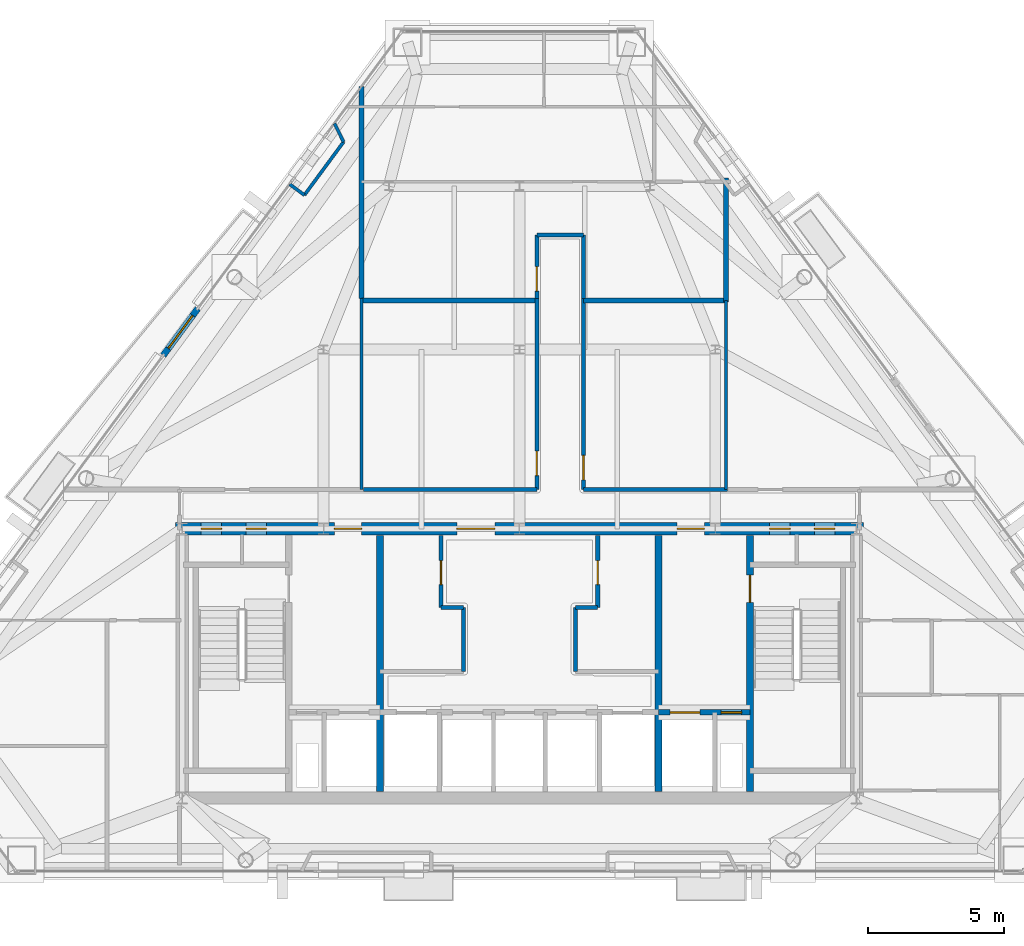
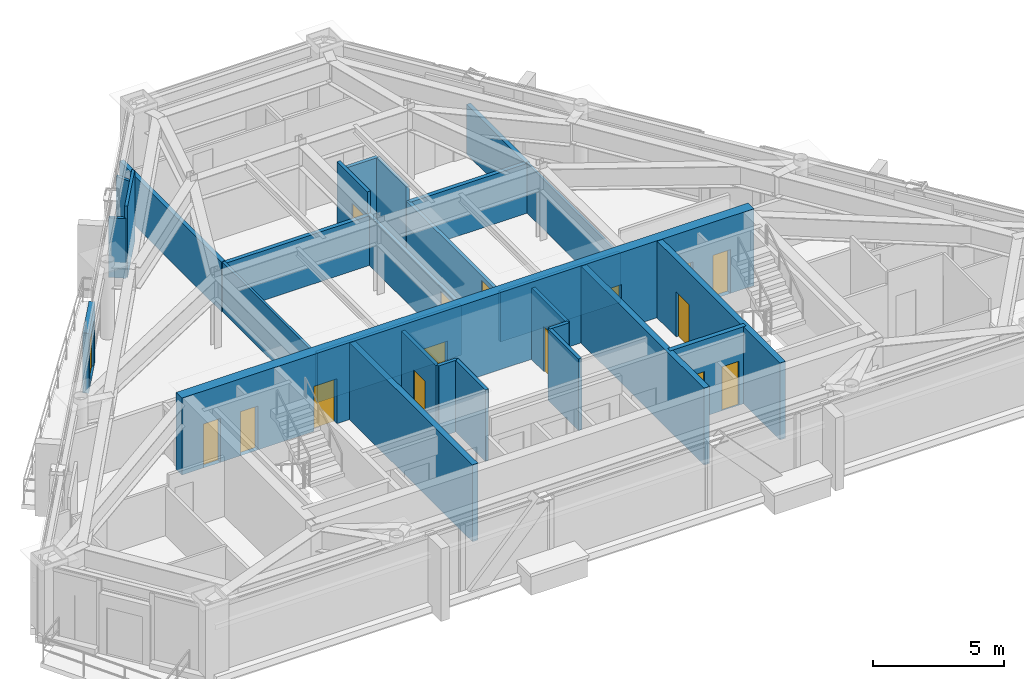
# One storey, part 8 of 12: 28 walls, 16 doors, 16 openings.
"""IFC4 building model written with IfcOpenShell, lengths in metres."""

from ifc_helpers import new_model, si_unit, direction, frame, frame_2d, origin, place, context, subcontext, project, spatial, rectangle, extrude, material, layer, layer_set, type_object, element, fill, save


model = new_model("IFC4")

# Units and contexts
model_context = context("Model", 3, precision=1e-05, world=origin(), true_north=direction((0.0, 1.0)))
body_context = subcontext(model_context, "Body", "Model", "MODEL_VIEW")
ifc_project = project(units=[si_unit("LENGTHUNIT", "METRE"), si_unit("AREAUNIT", "SQUARE_METRE"), si_unit("VOLUMEUNIT", "CUBIC_METRE"), si_unit("PLANEANGLEUNIT", "RADIAN"), si_unit("MASSUNIT", "GRAM", prefix="KILO")], contexts=[model_context])

# Site, building, storey
site_placement = place(None, origin())
site = spatial("IfcSite", under=ifc_project, at=site_placement, CompositionType="ELEMENT")
building_placement = place(site_placement, origin())
building = spatial("IfcBuilding", under=site, at=building_placement, Name="Talgorran Terracotta Tower", CompositionType="ELEMENT")
storey_placement = place(building_placement, frame((0.0, 0.0, 182.10009765625)))
storey = spatial("IfcBuildingStorey", under=building, at=storey_placement, Name="L47", CompositionType="ELEMENT", Elevation=182.10009765625)

# Wall, opening, door
ifc_material_1 = material(Name="Concrete C40/50", Category="concrete")
ifc_layer_1 = layer(ifc_material_1, 0.239990234375, Name="WT_BALCONY_SPAND")
ifc_layer_set_1 = layer_set([ifc_layer_1], Name="Concrete C40/50")
wall_type_1 = type_object("IfcWallType", Name="WT_BALCONY_SPAND", PredefinedType="STANDARD", material=ifc_layer_set_1)
wall_1_placement = place(storey_placement, frame((-11.826416015625, 3.898681640625, -0.01513671875), z_axis=(0.0, 0.0, 1.0), x_axis=(-0.593537527179, -0.804806314482, 0.0)))
wall_1 = element("IfcWall", 1, at=wall_1_placement, inside=storey, type_object=wall_type_1, Name="WL-L47-BALP-BAL-NW", PredefinedType="STANDARD", context=body_context, shape_type="SweptSolid", body=[
    extrude(rectangle(XDim=2.14013671875, YDim=0.239990234375, at=frame_2d((1.070068359375, 0.0))), origin(), (0.0, 0.0, 1.0), 2.80712890625),
])
opening_1_placement = place(wall_1_placement, frame((0.320068359375, 0.0, 0.014892578125)))
opening_1 = element("IfcOpeningElement", 2, at=opening_1_placement, cuts=wall_1, Name="Opening D-BAL-L47-2", PredefinedType="OPENING", context=body_context, shape_type="SweptSolid", body=[
    extrude(rectangle(XDim=1.506, YDim=2.203951171875, at=frame_2d((0.75, 1.10205078125))), frame((0.0, 0.1298828125, 0.0), z_axis=(0.0, -1.0, 0.0), x_axis=(1.0, 0.0, 0.0)), (0.0, 0.0, 1.0), 0.260009765625),
])
ifc_material_2 = material(Name="Thermally Broken Aluminium", Category="aluminium")
door_type_1 = type_object("IfcDoorType", Name="DT_BALC_1500", OperationType="SLIDING_TO_RIGHT", PredefinedType="DOOR", material=ifc_material_2)
door_1_placement = place(opening_1_placement, origin())
door_1 = element("IfcDoor", 3, at=door_1_placement, inside=storey, type_object=door_type_1, Name="DR-L47-BAL-BAL-NW", OperationType="SLIDING_TO_RIGHT", OverallHeight=2.199951171875, OverallWidth=1.5, PredefinedType="DOOR", context=body_context, shape_type="SweptSolid", body=[
    extrude(rectangle(XDim=1.5, YDim=2.199951171875, at=frame_2d((0.75, 1.10009765625))), frame((0.0, 0.02490234375, 0.0), z_axis=(0.0, -1.0, 0.0), x_axis=(1.0, 0.0, 0.0)), (0.0, 0.0, 1.0), 0.050048828125),
])
fill(opening_1, door_1)

# Wall, openings, doors
ifc_material_3 = material(Name="Concrete C50/60", Category="concrete")
ifc_layer_2 = layer(ifc_material_3, 0.199951171875, Name="WT_CORE_200")
ifc_layer_set_2 = layer_set([ifc_layer_2], Name="Concrete C50/60")
wall_type_2 = type_object("IfcWallType", Name="WT_CORE_200", PredefinedType="SOLIDWALL", material=ifc_layer_set_2)
wall_2_placement = place(storey_placement, frame((5.1201171875, -10.949951171875, 0.0), z_axis=(0.0, 0.0, 1.0), x_axis=(1.0, 0.0, 0.0)))
wall_2 = element("IfcWall", 4, at=wall_2_placement, inside=storey, type_object=wall_type_2, Name="WL-L47-CW-H-SBE", PredefinedType="SOLIDWALL", context=body_context, shape_type="SweptSolid", body=[
    extrude(rectangle(XDim=3.35986328125, YDim=0.199951171875, at=frame_2d((1.679931640625, 0.0))), origin(), (0.0, 0.0, 1.0), 3.599853515625),
])
opening_2_placement = place(wall_2_placement, frame((0.419921875, 0.0, 0.0)))
opening_2 = element("IfcOpeningElement", 5, at=opening_2_placement, cuts=wall_2, Name="Opening LD-FFL2", PredefinedType="OPENING", context=body_context, shape_type="SweptSolid", body=[
    extrude(rectangle(XDim=1.10609765625, YDim=2.10409765625, at=frame_2d((0.550048828125, 1.052001953125))), frame((0.0, 0.10986328125, 0.0), z_axis=(0.0, -1.0, 0.0), x_axis=(1.0, 0.0, 0.0)), (0.0, 0.0, 1.0), 0.219970703125),
])
opening_3_placement = place(wall_2_placement, frame((2.300048828125, 0.0, 0.0)))
opening_3 = element("IfcOpeningElement", 6, at=opening_3_placement, cuts=wall_2, Name="Opening DR-RSE", PredefinedType="OPENING", context=body_context, shape_type="SweptSolid", body=[
    extrude(rectangle(XDim=0.756, YDim=2.054048828125, at=frame_2d((0.375, 1.027099609375))), frame((0.0, 0.10986328125, 0.0), z_axis=(0.0, -1.0, 0.0), x_axis=(1.0, 0.0, 0.0)), (0.0, 0.0, 1.0), 0.219970703125),
])
ifc_material_4 = material(Name="Brushed Stainless Steel Grade 304", Category="steel")
door_type_2 = type_object("IfcDoorType", Name="DT_LIFT_LD1100", OperationType="DOUBLE_DOOR_SLIDING", PredefinedType="DOOR", material=ifc_material_4)
door_2_placement = place(opening_2_placement, origin())
door_2 = element("IfcDoor", 7, at=door_2_placement, inside=storey, type_object=door_type_2, Name="L47 Lift Landing Door LD-FFL2", OperationType="DOUBLE_DOOR_SLIDING", OverallHeight=2.10009765625, OverallWidth=1.10009765625, PredefinedType="DOOR", context=body_context, shape_type="SweptSolid", body=[
    extrude(rectangle(XDim=1.10009765625, YDim=2.10009765625, at=frame_2d((0.550048828125, 1.050048828125))), frame((0.0, 0.02490234375, 0.0), z_axis=(0.0, -1.0, 0.0), x_axis=(1.0, 0.0, 0.0)), (0.0, 0.0, 1.0), 0.050048828125),
])
fill(opening_2, door_2)
ifc_material_5 = material(Name="Fire-Rated Pressed Steel", Category="steel")
door_type_3 = type_object("IfcDoorType", Name="DT_RISER_750", OperationType="NOTDEFINED", PredefinedType="DOOR", material=ifc_material_5)
door_3_placement = place(opening_3_placement, origin())
door_3 = element("IfcDoor", 8, at=door_3_placement, inside=storey, type_object=door_type_3, Name="DR-RSE", OperationType="SINGLE_SWING_RIGHT", OverallHeight=2.050048828125, OverallWidth=0.75, PredefinedType="DOOR", context=body_context, shape_type="SweptSolid", body=[
    extrude(rectangle(XDim=0.75, YDim=2.050048828125, at=frame_2d((0.375, 1.02490234375))), frame((0.0, 0.02490234375, 0.0), z_axis=(0.0, -1.0, 0.0), x_axis=(1.0, 0.0, 0.0)), (0.0, 0.0, 1.0), 0.050048828125),
])
fill(opening_3, door_3)

# Wall, opening, door
ifc_layer_3 = layer(ifc_material_3, 0.25, Name="WT_CORE_250")
ifc_layer_set_3 = layer_set([ifc_layer_3], Name="Concrete C50/60")
wall_type_3 = type_object("IfcWallType", Name="WT_CORE_250", PredefinedType="SHEAR", material=ifc_layer_set_3)
wall_3_placement = place(storey_placement, frame((8.47998046875, -13.85009765625, 0.0), z_axis=(0.0, 0.0, 1.0), x_axis=(0.0, 1.0, 0.0)))
wall_3 = element("IfcWall", 9, at=wall_3_placement, inside=storey, type_object=wall_type_3, Name="WL-L47-CW-V-E1", PredefinedType="SHEAR", context=body_context, shape_type="SweptSolid", body=[
    extrude(rectangle(XDim=9.400146484375, YDim=0.25, at=frame_2d((4.7001953125, 0.0))), origin(), (0.0, 0.0, 1.0), 3.599853515625),
])
opening_4_placement = place(wall_3_placement, frame((6.949951171875, 0.0, 0.0)))
opening_4 = element("IfcOpeningElement", 10, at=opening_4_placement, cuts=wall_3, Name="Opening DR-ST02", PredefinedType="OPENING", context=body_context, shape_type="SweptSolid", body=[
    extrude(rectangle(XDim=1.006, YDim=2.10409765625, at=frame_2d((0.5, 1.052001953125))), frame((0.0, 0.135009765625, 0.0), z_axis=(0.0, -1.0, 0.0), x_axis=(1.0, 0.0, 0.0)), (0.0, 0.0, 1.0), 0.27001953125),
])
door_type_4 = type_object("IfcDoorType", Name="DT_FIRE_1000", OperationType="NOTDEFINED", PredefinedType="DOOR", material=ifc_material_5)
door_4_placement = place(opening_4_placement, origin())
door_4 = element("IfcDoor", 11, at=door_4_placement, inside=storey, type_object=door_type_4, Name="DR-ST02", OperationType="SINGLE_SWING_RIGHT", OverallHeight=2.10009765625, OverallWidth=1.0, PredefinedType="DOOR", context=body_context, shape_type="SweptSolid", body=[
    extrude(rectangle(XDim=1.0, YDim=2.10009765625, at=frame_2d((0.5, 1.050048828125))), frame((0.0, 0.02490234375, 0.0), z_axis=(0.0, -1.0, 0.0), x_axis=(1.0, 0.0, 0.0)), (0.0, 0.0, 1.0), 0.050048828125),
])
fill(opening_4, door_4)

# Walls
for number, where, z_axis, x_axis, name in (
    (12, (-5.1201171875, -13.85009765625, 0.0), (0.0, 0.0, 1.0), (0.0, 1.0, 0.0), "WL-L47-CW-V-W2"),
    (13, (5.1201171875, -13.85009765625, 0.0), (0.0, 0.0, 1.0), (0.0, 1.0, 0.0), "WL-L47-CW-V-E2"),
):
    element("IfcWall", number, at=place(storey_placement, frame(where, z_axis=z_axis, x_axis=x_axis)), inside=storey, type_object=wall_type_3, Name=name, PredefinedType="SHEAR", context=body_context, shape_type="SweptSolid", body=[
        extrude(rectangle(XDim=9.400146484375, YDim=0.25, at=frame_2d((4.7001953125, 0.0))), origin(), (0.0, 0.0, 1.0), 3.599853515625),
    ])

# Wall, openings, doors
ifc_material_6 = material(Name="Concrete C65/80", Category="concrete")
ifc_layer_4 = layer(ifc_material_6, 0.449951171875, Name="WT_CORE_EXT")
ifc_layer_set_4 = layer_set([ifc_layer_4], Name="Concrete C65/80")
wall_type_4 = type_object("IfcWallType", Name="WT_CORE_EXT", PredefinedType="SHEAR", material=ifc_layer_set_4)
wall_4_placement = place(storey_placement, frame((-12.64990234375, -4.199951171875, 0.0), z_axis=(0.0, 0.0, 1.0), x_axis=(1.0, 0.0, 0.0)))
wall_4 = element("IfcWall", 14, at=wall_4_placement, inside=storey, type_object=wall_type_4, Name="WL-L47-CW-OUT-N", PredefinedType="SHEAR", context=body_context, shape_type="SweptSolid", body=[
    extrude(rectangle(XDim=25.2998046875, YDim=0.449951171875, at=frame_2d((12.64990234375, 0.0))), origin(), (0.0, 0.0, 1.0), 3.599853515625),
])
opening_5_placement = place(wall_4_placement, frame((0.949951171875, 0.0, 0.0)))
opening_5 = element("IfcOpeningElement", 15, at=opening_5_placement, cuts=wall_4, Name="Opening DR-CSN1", PredefinedType="OPENING", context=body_context, shape_type="SweptSolid", body=[
    extrude(rectangle(XDim=0.756, YDim=2.054048828125, at=frame_2d((0.375, 1.027099609375))), frame((0.0, 0.23486328125, 0.0), z_axis=(0.0, -1.0, 0.0), x_axis=(1.0, 0.0, 0.0)), (0.0, 0.0, 1.0), 0.469970703125),
])
opening_6_placement = place(wall_4_placement, frame((2.60009765625, 0.0, 0.0)))
opening_6 = element("IfcOpeningElement", 16, at=opening_6_placement, cuts=wall_4, Name="Opening DR-CSN2", PredefinedType="OPENING", context=body_context, shape_type="SweptSolid", body=[
    extrude(rectangle(XDim=0.756, YDim=2.054048828125, at=frame_2d((0.375, 1.027099609375))), frame((0.0, 0.23486328125, 0.0), z_axis=(0.0, -1.0, 0.0), x_axis=(1.0, 0.0, 0.0)), (0.0, 0.0, 1.0), 0.469970703125),
])
opening_7_placement = place(wall_4_placement, frame((21.85009765625, 0.0, 0.0)))
opening_7 = element("IfcOpeningElement", 17, at=opening_7_placement, cuts=wall_4, Name="Opening DR-CSN3", PredefinedType="OPENING", context=body_context, shape_type="SweptSolid", body=[
    extrude(rectangle(XDim=0.756, YDim=2.054048828125, at=frame_2d((0.375, 1.027099609375))), frame((0.0, 0.23486328125, 0.0), z_axis=(0.0, -1.0, 0.0), x_axis=(1.0, 0.0, 0.0)), (0.0, 0.0, 1.0), 0.469970703125),
])
opening_8_placement = place(wall_4_placement, frame((23.5, 0.0, 0.0)))
opening_8 = element("IfcOpeningElement", 18, at=opening_8_placement, cuts=wall_4, Name="Opening DR-CSN4", PredefinedType="OPENING", context=body_context, shape_type="SweptSolid", body=[
    extrude(rectangle(XDim=0.756, YDim=2.054048828125, at=frame_2d((0.375, 1.027099609375))), frame((0.0, 0.23486328125, 0.0), z_axis=(0.0, -1.0, 0.0), x_axis=(1.0, 0.0, 0.0)), (0.0, 0.0, 1.0), 0.469970703125),
])
opening_9_placement = place(wall_4_placement, frame((5.85009765625, 0.0, 0.0)))
opening_9 = element("IfcOpeningElement", 19, at=opening_9_placement, cuts=wall_4, Name="Opening DR-FFLW-N", PredefinedType="OPENING", context=body_context, shape_type="SweptSolid", body=[
    extrude(rectangle(XDim=1.006, YDim=2.10409765625, at=frame_2d((0.5, 1.052001953125))), frame((0.0, 0.23486328125, 0.0), z_axis=(0.0, -1.0, 0.0), x_axis=(1.0, 0.0, 0.0)), (0.0, 0.0, 1.0), 0.469970703125),
])
opening_10_placement = place(wall_4_placement, frame((10.35009765625, 0.0, 0.0)))
opening_10 = element("IfcOpeningElement", 20, at=opening_10_placement, cuts=wall_4, Name="Opening DR-PLL-N", PredefinedType="OPENING", context=body_context, shape_type="SweptSolid", body=[
    extrude(rectangle(XDim=1.40590234375, YDim=2.15390234375, at=frame_2d((0.699951171875, 1.076904296875))), frame((0.0, 0.23486328125, 0.0), z_axis=(0.0, -1.0, 0.0), x_axis=(1.0, 0.0, 0.0)), (0.0, 0.0, 1.0), 0.469970703125),
])
opening_11_placement = place(wall_4_placement, frame((18.449951171875, 0.0, 0.0)))
opening_11 = element("IfcOpeningElement", 21, at=opening_11_placement, cuts=wall_4, Name="Opening DR-FFLE-N", PredefinedType="OPENING", context=body_context, shape_type="SweptSolid", body=[
    extrude(rectangle(XDim=1.006, YDim=2.10409765625, at=frame_2d((0.5, 1.052001953125))), frame((0.0, 0.23486328125, 0.0), z_axis=(0.0, -1.0, 0.0), x_axis=(1.0, 0.0, 0.0)), (0.0, 0.0, 1.0), 0.469970703125),
])
ifc_material_7 = material(Name="Acoustic Glazed Timber", Category="wood")
door_type_5 = type_object("IfcDoorType", Name="DT_DOUBLE_1400", OperationType="DOUBLE_DOOR_SINGLE_SWING", PredefinedType="DOOR", material=ifc_material_7)
door_5_placement = place(opening_10_placement, origin())
door_5 = element("IfcDoor", 22, at=door_5_placement, inside=storey, type_object=door_type_5, Name="DR-PLL-N", OperationType="DOUBLE_DOOR_SINGLE_SWING", OverallHeight=2.14990234375, OverallWidth=1.39990234375, PredefinedType="DOOR", context=body_context, shape_type="SweptSolid", body=[
    extrude(rectangle(XDim=1.39990234375, YDim=2.14990234375, at=frame_2d((0.699951171875, 1.074951171875))), frame((0.0, 0.02490234375, 0.0), z_axis=(0.0, -1.0, 0.0), x_axis=(1.0, 0.0, 0.0)), (0.0, 0.0, 1.0), 0.050048828125),
])
fill(opening_10, door_5)
door_6_placement = place(opening_9_placement, origin())
door_6 = element("IfcDoor", 23, at=door_6_placement, inside=storey, type_object=door_type_4, Name="DR-FFLW-N", OperationType="SINGLE_SWING_LEFT", OverallHeight=2.10009765625, OverallWidth=1.0, PredefinedType="DOOR", context=body_context, shape_type="SweptSolid", body=[
    extrude(rectangle(XDim=1.0, YDim=2.10009765625, at=frame_2d((0.5, 1.050048828125))), frame((0.0, 0.02490234375, 0.0), z_axis=(0.0, -1.0, 0.0), x_axis=(1.0, 0.0, 0.0)), (0.0, 0.0, 1.0), 0.050048828125),
])
fill(opening_9, door_6)
door_7_placement = place(opening_11_placement, origin())
door_7 = element("IfcDoor", 24, at=door_7_placement, inside=storey, type_object=door_type_4, Name="DR-FFLE-N", OperationType="SINGLE_SWING_RIGHT", OverallHeight=2.10009765625, OverallWidth=1.0, PredefinedType="DOOR", context=body_context, shape_type="SweptSolid", body=[
    extrude(rectangle(XDim=1.0, YDim=2.10009765625, at=frame_2d((0.5, 1.050048828125))), frame((0.0, 0.02490234375, 0.0), z_axis=(0.0, -1.0, 0.0), x_axis=(1.0, 0.0, 0.0)), (0.0, 0.0, 1.0), 0.050048828125),
])
fill(opening_11, door_7)
door_8_placement = place(opening_5_placement, origin())
door_8 = element("IfcDoor", 25, at=door_8_placement, inside=storey, type_object=door_type_3, Name="DR-CSN1", OperationType="SINGLE_SWING_LEFT", OverallHeight=2.050048828125, OverallWidth=0.75, PredefinedType="DOOR", context=body_context, shape_type="SweptSolid", body=[
    extrude(rectangle(XDim=0.75, YDim=2.050048828125, at=frame_2d((0.375, 1.02490234375))), frame((0.0, 0.02490234375, 0.0), z_axis=(0.0, -1.0, 0.0), x_axis=(1.0, 0.0, 0.0)), (0.0, 0.0, 1.0), 0.050048828125),
])
fill(opening_5, door_8)
door_9_placement = place(opening_6_placement, origin())
door_9 = element("IfcDoor", 26, at=door_9_placement, inside=storey, type_object=door_type_3, Name="DR-CSN2", OperationType="SINGLE_SWING_RIGHT", OverallHeight=2.050048828125, OverallWidth=0.75, PredefinedType="DOOR", context=body_context, shape_type="SweptSolid", body=[
    extrude(rectangle(XDim=0.75, YDim=2.050048828125, at=frame_2d((0.375, 1.02490234375))), frame((0.0, 0.02490234375, 0.0), z_axis=(0.0, -1.0, 0.0), x_axis=(1.0, 0.0, 0.0)), (0.0, 0.0, 1.0), 0.050048828125),
])
fill(opening_6, door_9)
door_10_placement = place(opening_7_placement, origin())
door_10 = element("IfcDoor", 27, at=door_10_placement, inside=storey, type_object=door_type_3, Name="DR-CSN3", OperationType="SINGLE_SWING_LEFT", OverallHeight=2.050048828125, OverallWidth=0.75, PredefinedType="DOOR", context=body_context, shape_type="SweptSolid", body=[
    extrude(rectangle(XDim=0.75, YDim=2.050048828125, at=frame_2d((0.375, 1.02490234375))), frame((0.0, 0.02490234375, 0.0), z_axis=(0.0, -1.0, 0.0), x_axis=(1.0, 0.0, 0.0)), (0.0, 0.0, 1.0), 0.050048828125),
])
fill(opening_7, door_10)
door_11_placement = place(opening_8_placement, origin())
door_11 = element("IfcDoor", 28, at=door_11_placement, inside=storey, type_object=door_type_3, Name="DR-CSN4", OperationType="SINGLE_SWING_RIGHT", OverallHeight=2.050048828125, OverallWidth=0.75, PredefinedType="DOOR", context=body_context, shape_type="SweptSolid", body=[
    extrude(rectangle(XDim=0.75, YDim=2.050048828125, at=frame_2d((0.375, 1.02490234375))), frame((0.0, 0.02490234375, 0.0), z_axis=(0.0, -1.0, 0.0), x_axis=(1.0, 0.0, 0.0)), (0.0, 0.0, 1.0), 0.050048828125),
])
fill(opening_8, door_11)

# Walls
ifc_material_8 = material(Name="Fire-Rated Steel Stud Plasterboard", Category="steel")
ifc_layer_5 = layer(ifc_material_8, 0.14990234375, Name="WT_FIRE_150")
ifc_layer_set_5 = layer_set([ifc_layer_5], Name="Fire-Rated Steel Stud Plasterboard")
wall_type_5 = type_object("IfcWallType", Name="WT_FIRE_150", PredefinedType="PARTITIONING", material=ifc_layer_set_5)
wall_5_placement = place(storey_placement, frame((-2.06005859375, -9.449951171875, 0.0), z_axis=(0.0, 0.0, 1.0), x_axis=(0.0, 1.0, 0.0)))
element("IfcWall", 29, at=wall_5_placement, inside=storey, type_object=wall_type_5, Name="WL-L47-CW-V-W3S2", PredefinedType="PARTITIONING", context=body_context, shape_type="SweptSolid", body=[
    extrude(rectangle(XDim=2.349853515625, YDim=0.14990234375, at=frame_2d((1.1748046875, 0.0))), origin(), (0.0, 0.0, 1.0), 3.349853515625),
])
wall_6_placement = place(storey_placement, frame((-2.8798828125, -7.10009765625, 0.0), z_axis=(0.0, 0.0, 1.0), x_axis=(1.0, 0.0, 0.0)))
element("IfcWall", 30, at=wall_6_placement, inside=storey, type_object=wall_type_5, Name="WL-L47-CW-H-W3M2", PredefinedType="PARTITIONING", context=body_context, shape_type="SweptSolid", body=[
    extrude(rectangle(XDim=0.81982421875, YDim=0.14990234375, at=frame_2d((0.409912109375, 0.0))), origin(), (0.0, 0.0, 1.0), 3.349853515625),
])

# Wall, opening, door
wall_7_placement = place(storey_placement, frame((-2.8798828125, -7.10009765625, 0.0), z_axis=(0.0, 0.0, 1.0), x_axis=(0.0, 1.0, 0.0)))
wall_7 = element("IfcWall", 31, at=wall_7_placement, inside=storey, type_object=wall_type_5, Name="WL-L47-CW-V-W3N", PredefinedType="PARTITIONING", context=body_context, shape_type="SweptSolid", body=[
    extrude(rectangle(XDim=2.650146484375, YDim=0.14990234375, at=frame_2d((1.3251953125, 0.0))), origin(), (0.0, 0.0, 1.0), 3.349853515625),
])
opening_12_placement = place(wall_7_placement, frame((0.85009765625, 0.0, 0.0)))
opening_12 = element("IfcOpeningElement", 32, at=opening_12_placement, cuts=wall_7, Name="Opening DR-FRPLL-B", PredefinedType="OPENING", context=body_context, shape_type="SweptSolid", body=[
    extrude(rectangle(XDim=0.8858828125, YDim=2.10409765625, at=frame_2d((0.43994140625, 1.052001953125))), frame((0.0, 0.0849609375, 0.0), z_axis=(0.0, -1.0, 0.0), x_axis=(1.0, 0.0, 0.0)), (0.0, 0.0, 1.0), 0.169921875),
])
ifc_material_9 = material(Name="Solid-Core Painted Timber", Category="wood")
door_type_6 = type_object("IfcDoorType", Name="DT_INT_880", OperationType="NOTDEFINED", PredefinedType="DOOR", material=ifc_material_9)
door_12_placement = place(opening_12_placement, origin())
door_12 = element("IfcDoor", 33, at=door_12_placement, inside=storey, type_object=door_type_6, Name="DR-FRPLL-B", OperationType="SINGLE_SWING_LEFT", OverallHeight=2.10009765625, OverallWidth=0.8798828125, PredefinedType="DOOR", context=body_context, shape_type="SweptSolid", body=[
    extrude(rectangle(XDim=0.8798828125, YDim=2.10009765625, at=frame_2d((0.43994140625, 1.050048828125))), frame((0.0, 0.02490234375, 0.0), z_axis=(0.0, -1.0, 0.0), x_axis=(1.0, 0.0, 0.0)), (0.0, 0.0, 1.0), 0.050048828125),
])
fill(opening_12, door_12)

# Walls
wall_8_placement = place(storey_placement, frame((2.06005859375, -9.449951171875, 0.0), z_axis=(0.0, 0.0, 1.0), x_axis=(0.0, 1.0, 0.0)))
element("IfcWall", 34, at=wall_8_placement, inside=storey, type_object=wall_type_5, Name="WL-L47-CW-V-E3S2", PredefinedType="PARTITIONING", context=body_context, shape_type="SweptSolid", body=[
    extrude(rectangle(XDim=2.349853515625, YDim=0.14990234375, at=frame_2d((1.1748046875, 0.0))), origin(), (0.0, 0.0, 1.0), 3.349853515625),
])
wall_9_placement = place(storey_placement, frame((2.06005859375, -7.10009765625, 0.0), z_axis=(0.0, 0.0, 1.0), x_axis=(1.0, 0.0, 0.0)))
element("IfcWall", 35, at=wall_9_placement, inside=storey, type_object=wall_type_5, Name="WL-L47-CW-H-E3M2", PredefinedType="PARTITIONING", context=body_context, shape_type="SweptSolid", body=[
    extrude(rectangle(XDim=0.81982421875, YDim=0.14990234375, at=frame_2d((0.409912109375, 0.0))), origin(), (0.0, 0.0, 1.0), 3.349853515625),
])

# Wall, opening, door
wall_10_placement = place(storey_placement, frame((2.8798828125, -7.10009765625, 0.0), z_axis=(0.0, 0.0, 1.0), x_axis=(0.0, 1.0, 0.0)))
wall_10 = element("IfcWall", 36, at=wall_10_placement, inside=storey, type_object=wall_type_5, Name="WL-L47-CW-V-E3N", PredefinedType="PARTITIONING", context=body_context, shape_type="SweptSolid", body=[
    extrude(rectangle(XDim=2.650146484375, YDim=0.14990234375, at=frame_2d((1.3251953125, 0.0))), origin(), (0.0, 0.0, 1.0), 3.349853515625),
])
opening_13_placement = place(wall_10_placement, frame((0.85009765625, 0.0, 0.0)))
opening_13 = element("IfcOpeningElement", 37, at=opening_13_placement, cuts=wall_10, Name="Opening DR-FRPLM-B", PredefinedType="OPENING", context=body_context, shape_type="SweptSolid", body=[
    extrude(rectangle(XDim=0.8858828125, YDim=2.10409765625, at=frame_2d((0.43994140625, 1.052001953125))), frame((0.0, 0.0849609375, 0.0), z_axis=(0.0, -1.0, 0.0), x_axis=(1.0, 0.0, 0.0)), (0.0, 0.0, 1.0), 0.169921875),
])
door_13_placement = place(opening_13_placement, origin())
door_13 = element("IfcDoor", 38, at=door_13_placement, inside=storey, type_object=door_type_6, Name="DR-FRPLM-B", OperationType="SINGLE_SWING_RIGHT", OverallHeight=2.10009765625, OverallWidth=0.8798828125, PredefinedType="DOOR", context=body_context, shape_type="SweptSolid", body=[
    extrude(rectangle(XDim=0.8798828125, YDim=2.10009765625, at=frame_2d((0.43994140625, 1.050048828125))), frame((0.0, 0.02490234375, 0.0), z_axis=(0.0, -1.0, 0.0), x_axis=(1.0, 0.0, 0.0)), (0.0, 0.0, 1.0), 0.050048828125),
])
fill(opening_13, door_13)

wall_11_placement = place(storey_placement, frame((0.639892578125, -2.760009765625, 0.0), z_axis=(0.0, 0.0, 1.0), x_axis=(0.0, 1.0, 0.0)))
wall_11 = element("IfcWall", 39, at=wall_11_placement, inside=storey, type_object=wall_type_5, Name="WL-L47-W-L47-R05", PredefinedType="PARTITIONING", context=body_context, shape_type="SweptSolid", body=[
    extrude(rectangle(XDim=7.02001953125, YDim=0.14990234375, at=frame_2d((3.510009765625, 0.0))), origin(), (0.0, 0.0, 1.0), 2.324951171875),
])
opening_14_placement = place(wall_11_placement, frame((0.52001953125, 0.0, 0.0)))
opening_14 = element("IfcOpeningElement", 40, at=opening_14_placement, cuts=wall_11, Name="Opening DR-L47-R11", PredefinedType="OPENING", context=body_context, shape_type="SweptSolid", body=[
    extrude(rectangle(XDim=0.90590234375, YDim=2.10409765625, at=frame_2d((0.449951171875, 1.052001953125))), frame((0.0, 0.0849609375, 0.0), z_axis=(0.0, -1.0, 0.0), x_axis=(1.0, 0.0, 0.0)), (0.0, 0.0, 1.0), 0.169921875),
])
ifc_material_10 = material(Name="Fire-Rated Timber Core", Category="wood")
door_type_7 = type_object("IfcDoorType", Name="DT_FIRE_900", OperationType="NOTDEFINED", PredefinedType="DOOR", material=ifc_material_10)
door_14_placement = place(opening_14_placement, origin())
door_14 = element("IfcDoor", 41, at=door_14_placement, inside=storey, type_object=door_type_7, Name="DR-L47-R11", OperationType="SINGLE_SWING_LEFT", OverallHeight=2.10009765625, OverallWidth=0.89990234375, PredefinedType="DOOR", context=body_context, shape_type="SweptSolid", body=[
    extrude(rectangle(XDim=0.89990234375, YDim=2.10009765625, at=frame_2d((0.449951171875, 1.050048828125))), frame((0.0, 0.02490234375, 0.0), z_axis=(0.0, -1.0, 0.0), x_axis=(1.0, 0.0, 0.0)), (0.0, 0.0, 1.0), 0.050048828125),
])
fill(opening_14, door_14)

wall_12_placement = place(storey_placement, frame((2.360107421875, -2.760009765625, 0.0), z_axis=(0.0, 0.0, 1.0), x_axis=(0.0, 1.0, 0.0)))
wall_12 = element("IfcWall", 42, at=wall_12_placement, inside=storey, type_object=wall_type_5, Name="WL-L47-W-L47-R06", PredefinedType="PARTITIONING", context=body_context, shape_type="SweptSolid", body=[
    extrude(rectangle(XDim=7.02001953125, YDim=0.14990234375, at=frame_2d((3.510009765625, 0.0))), origin(), (0.0, 0.0, 1.0), 2.324951171875),
])
opening_15_placement = place(wall_12_placement, frame((0.360107421875, 0.0, 0.0)))
opening_15 = element("IfcOpeningElement", 43, at=opening_15_placement, cuts=wall_12, Name="Opening DR-L47-R12", PredefinedType="OPENING", context=body_context, shape_type="SweptSolid", body=[
    extrude(rectangle(XDim=0.90590234375, YDim=2.10409765625, at=frame_2d((0.449951171875, 1.052001953125))), frame((0.0, 0.0849609375, 0.0), z_axis=(0.0, -1.0, 0.0), x_axis=(1.0, 0.0, 0.0)), (0.0, 0.0, 1.0), 0.169921875),
])
door_15_placement = place(opening_15_placement, origin())
door_15 = element("IfcDoor", 44, at=door_15_placement, inside=storey, type_object=door_type_7, Name="DR-L47-R12", OperationType="SINGLE_SWING_RIGHT", OverallHeight=2.10009765625, OverallWidth=0.89990234375, PredefinedType="DOOR", context=body_context, shape_type="SweptSolid", body=[
    extrude(rectangle(XDim=0.89990234375, YDim=2.10009765625, at=frame_2d((0.449951171875, 1.050048828125))), frame((0.0, 0.02490234375, 0.0), z_axis=(0.0, -1.0, 0.0), x_axis=(1.0, 0.0, 0.0)), (0.0, 0.0, 1.0), 0.050048828125),
])
fill(opening_15, door_15)

# Walls
wall_13_placement = place(storey_placement, frame((-5.738037109375, -2.760009765625, 0.0), z_axis=(0.0, 0.0, 1.0), x_axis=(1.0, 0.0, 0.0)))
element("IfcWall", 45, at=wall_13_placement, inside=storey, type_object=wall_type_5, Name="WL-L47-W-L47-R04", PredefinedType="PARTITIONING", context=body_context, shape_type="SweptSolid", body=[
    extrude(rectangle(XDim=6.3779296875, YDim=0.14990234375, at=frame_2d((3.18896484375, 0.0))), origin(), (0.0, 0.0, 1.0), 2.324951171875),
])
wall_14_placement = place(storey_placement, frame((2.360107421875, -2.760009765625, 0.0), z_axis=(0.0, 0.0, 1.0), x_axis=(1.0, 0.0, 0.0)))
element("IfcWall", 46, at=wall_14_placement, inside=storey, type_object=wall_type_5, Name="WL-L47-W-L47-R07", PredefinedType="PARTITIONING", context=body_context, shape_type="SweptSolid", body=[
    extrude(rectangle(XDim=5.2998046875, YDim=0.14990234375, at=frame_2d((2.64990234375, 0.0))), origin(), (0.0, 0.0, 1.0), 2.324951171875),
])

# Wall, opening, door
wall_15_placement = place(storey_placement, frame((0.639892578125, 4.261962890625, 0.0), z_axis=(0.0, 0.0, 1.0), x_axis=(0.0, 1.0, 0.0)))
wall_15 = element("IfcWall", 47, at=wall_15_placement, inside=storey, type_object=wall_type_5, Name="WL-L47-W-L47-R09", PredefinedType="PARTITIONING", context=body_context, shape_type="SweptSolid", body=[
    extrude(rectangle(XDim=2.338134765625, YDim=0.14990234375, at=frame_2d((1.1689453125, 0.0))), origin(), (0.0, 0.0, 1.0), 3.349853515625),
])
opening_16_placement = place(wall_15_placement, frame((0.278076171875, 0.0, 0.0)))
opening_16 = element("IfcOpeningElement", 48, at=opening_16_placement, cuts=wall_15, Name="Opening DR-L47-R14", PredefinedType="OPENING", context=body_context, shape_type="SweptSolid", body=[
    extrude(rectangle(XDim=0.90590234375, YDim=2.10409765625, at=frame_2d((0.449951171875, 1.052001953125))), frame((0.0, 0.0849609375, 0.0), z_axis=(0.0, -1.0, 0.0), x_axis=(1.0, 0.0, 0.0)), (0.0, 0.0, 1.0), 0.169921875),
])
door_16_placement = place(opening_16_placement, origin())
door_16 = element("IfcDoor", 49, at=door_16_placement, inside=storey, type_object=door_type_7, Name="DR-L47-R14", OperationType="SINGLE_SWING_RIGHT", OverallHeight=2.10009765625, OverallWidth=0.89990234375, PredefinedType="DOOR", context=body_context, shape_type="SweptSolid", body=[
    extrude(rectangle(XDim=0.89990234375, YDim=2.10009765625, at=frame_2d((0.449951171875, 1.050048828125))), frame((0.0, 0.02490234375, 0.0), z_axis=(0.0, -1.0, 0.0), x_axis=(1.0, 0.0, 0.0)), (0.0, 0.0, 1.0), 0.050048828125),
])
fill(opening_16, door_16)

# Walls
wall_16_placement = place(storey_placement, frame((2.360107421875, 4.261962890625, 0.0), z_axis=(0.0, 0.0, 1.0), x_axis=(0.0, 1.0, 0.0)))
element("IfcWall", 50, at=wall_16_placement, inside=storey, type_object=wall_type_5, Name="WL-L47-W-L47-R11", PredefinedType="PARTITIONING", context=body_context, shape_type="SweptSolid", body=[
    extrude(rectangle(XDim=2.338134765625, YDim=0.14990234375, at=frame_2d((1.1689453125, 0.0))), origin(), (0.0, 0.0, 1.0), 2.96923828125),
])
wall_17_placement = place(storey_placement, frame((0.639892578125, 6.60009765625, 0.0), z_axis=(0.0, 0.0, 1.0), x_axis=(1.0, 0.0, 0.0)))
element("IfcWall", 51, at=wall_17_placement, inside=storey, type_object=wall_type_5, Name="WL-L47-W-L47-R10", PredefinedType="PARTITIONING", context=body_context, shape_type="SweptSolid", body=[
    extrude(rectangle(XDim=1.72021484375, YDim=0.14990234375, at=frame_2d((0.860107421875, 0.0))), origin(), (0.0, 0.0, 1.0), 2.96923828125),
])
ifc_material_11 = material(Name="Acoustic Stud and Plasterboard")
ifc_layer_6 = layer(ifc_material_11, 0.179931640625, Name="WT_PARTY_200")
ifc_layer_set_6 = layer_set([ifc_layer_6], Name="Acoustic Stud and Plasterboard")
wall_type_6 = type_object("IfcWallType", Name="WT_PARTY_200", PredefinedType="PARTITIONING", material=ifc_layer_set_6)
wall_18_placement = place(storey_placement, frame((-5.800048828125, 4.199951171875, 0.0), z_axis=(0.0, 0.0, 1.0), x_axis=(1.0, 0.0, 0.0)))
element("IfcWall", 52, at=wall_18_placement, inside=storey, type_object=wall_type_6, Name="WL-L47-W-L47-R34", PredefinedType="PARTITIONING", context=body_context, shape_type="SweptSolid", body=[
    extrude(rectangle(XDim=6.43994140625, YDim=0.179931640625, at=frame_2d((3.219970703125, 0.0))), origin(), (0.0, 0.0, 1.0), 2.324951171875),
])
wall_19_placement = place(storey_placement, frame((2.360107421875, 4.199951171875, 0.0), z_axis=(0.0, 0.0, 1.0), x_axis=(1.0, 0.0, 0.0)))
element("IfcWall", 53, at=wall_19_placement, inside=storey, type_object=wall_type_6, Name="WL-L47-W-L47-R36", PredefinedType="PARTITIONING", context=body_context, shape_type="SweptSolid", body=[
    extrude(rectangle(XDim=5.239990234375, YDim=0.179931640625, at=frame_2d((2.6201171875, 0.0))), origin(), (0.0, 0.0, 1.0), 2.324951171875),
])
wall_20_placement = place(storey_placement, frame((7.60009765625, 4.139892578125, 0.0), z_axis=(0.0, 0.0, 1.0), x_axis=(0.0, 1.0, 0.0)))
element("IfcWall", 54, at=wall_20_placement, inside=storey, type_object=wall_type_6, Name="WL-L47-W-L47-R37", PredefinedType="PARTITIONING", context=body_context, shape_type="SweptSolid", body=[
    extrude(rectangle(XDim=4.56005859375, YDim=0.179931640625, at=frame_2d((2.280029296875, 0.0))), origin(), (0.0, 0.0, 1.0), 2.324951171875),
])
wall_21_placement = place(storey_placement, frame((-5.800048828125, 4.261962890625, 0.0), z_axis=(0.0, 0.0, 1.0), x_axis=(0.0, 1.0, 0.0)))
element("IfcWall", 55, at=wall_21_placement, inside=storey, type_object=wall_type_6, Name="WL-L47-W-L47-R32", PredefinedType="PARTITIONING", context=body_context, shape_type="SweptSolid", body=[
    extrude(rectangle(XDim=7.809326171875, YDim=0.179931640625, at=frame_2d((3.90478515625, 0.0))), origin(), (0.0, 0.0, 1.0), 2.324951171875),
])
ifc_material_12 = material(Name="Lightweight Steel Stud Partition", Category="steel")
ifc_layer_7 = layer(ifc_material_12, 0.10498046875, Name="WT_PART_110")
ifc_layer_set_7 = layer_set([ifc_layer_7], Name="Lightweight Steel Stud Partition")
wall_type_7 = type_object("IfcWallType", Name="WT_PART_110", PredefinedType="PARTITIONING", material=ifc_layer_set_7)
wall_22_placement = place(storey_placement, frame((-5.800048828125, -2.760009765625, 0.0), z_axis=(0.0, 0.0, 1.0), x_axis=(0.0, 1.0, 0.0)))
element("IfcWall", 56, at=wall_22_placement, inside=storey, type_object=wall_type_7, Name="WL-L47-W-L47-R31", PredefinedType="PARTITIONING", context=body_context, shape_type="SweptSolid", body=[
    extrude(rectangle(XDim=7.02001953125, YDim=0.10498046875, at=frame_2d((3.510009765625, 0.0))), origin(), (0.0, 0.0, 1.0), 2.324951171875),
])
wall_23_placement = place(storey_placement, frame((7.60009765625, -2.760009765625, 0.0), z_axis=(0.0, 0.0, 1.0), x_axis=(0.0, 1.0, 0.0)))
element("IfcWall", 57, at=wall_23_placement, inside=storey, type_object=wall_type_7, Name="WL-L47-W-L47-R35", PredefinedType="PARTITIONING", context=body_context, shape_type="SweptSolid", body=[
    extrude(rectangle(XDim=6.9599609375, YDim=0.10498046875, at=frame_2d((3.47998046875, 0.0))), origin(), (0.0, 0.0, 1.0), 2.324951171875),
])
ifc_material_13 = material(Name="Insulated Steel Stud Plasterboard", Category="steel")
ifc_layer_8 = layer(ifc_material_13, 0.1201171875, Name="WT_PART_120")
ifc_layer_set_8 = layer_set([ifc_layer_8], Name="Insulated Steel Stud Plasterboard")
wall_type_8 = type_object("IfcWallType", Name="WT_PART_120", PredefinedType="PARTITIONING", material=ifc_layer_set_8)
wall_24_placement = place(storey_placement, frame((-6.462890625, 10.026611328125, 0.0), z_axis=(0.0, 0.0, 1.0), x_axis=(-0.593469747426, -0.804856297043, 0.0)))
element("IfcWall", 58, at=wall_24_placement, inside=storey, type_object=wall_type_8, Name="WL-L47-BW-L47-14", PredefinedType="PARTITIONING", context=body_context, shape_type="SweptSolid", body=[
    extrude(rectangle(XDim=2.429931640625, YDim=0.1201171875, at=frame_2d((1.21484375, 0.0))), origin(), (0.0, 0.0, 1.0), 3.349853515625),
])
wall_25_placement = place(storey_placement, frame((-6.796630859375, 10.702880859375, 0.0), z_axis=(0.0, 0.0, 1.0), x_axis=(0.442545737198, -0.896745934191, 0.0)))
element("IfcWall", 59, at=wall_25_placement, inside=storey, type_object=wall_type_8, Name="WL-L47-BW-L47-13", PredefinedType="PARTITIONING", context=body_context, shape_type="SweptSolid", body=[
    extrude(rectangle(XDim=0.754150390625, YDim=0.1201171875, at=frame_2d((0.376953125, 0.0))), origin(), (0.0, 0.0, 1.0), 2.7919921875),
])
wall_26_placement = place(storey_placement, frame((-7.905029296875, 8.07080078125, 0.0), z_axis=(0.0, 0.0, 1.0), x_axis=(-0.804698441933, 0.59368376898, 0.0)))
element("IfcWall", 60, at=wall_26_placement, inside=storey, type_object=wall_type_8, Name="WL-L47-BW-L47-15", PredefinedType="PARTITIONING", context=body_context, shape_type="SweptSolid", body=[
    extrude(rectangle(XDim=0.669921875, YDim=0.1201171875, at=frame_2d((0.3349609375, 0.0))), origin(), (0.0, 0.0, 1.0), 2.7919921875),
])

save(model, "model.ifc")
